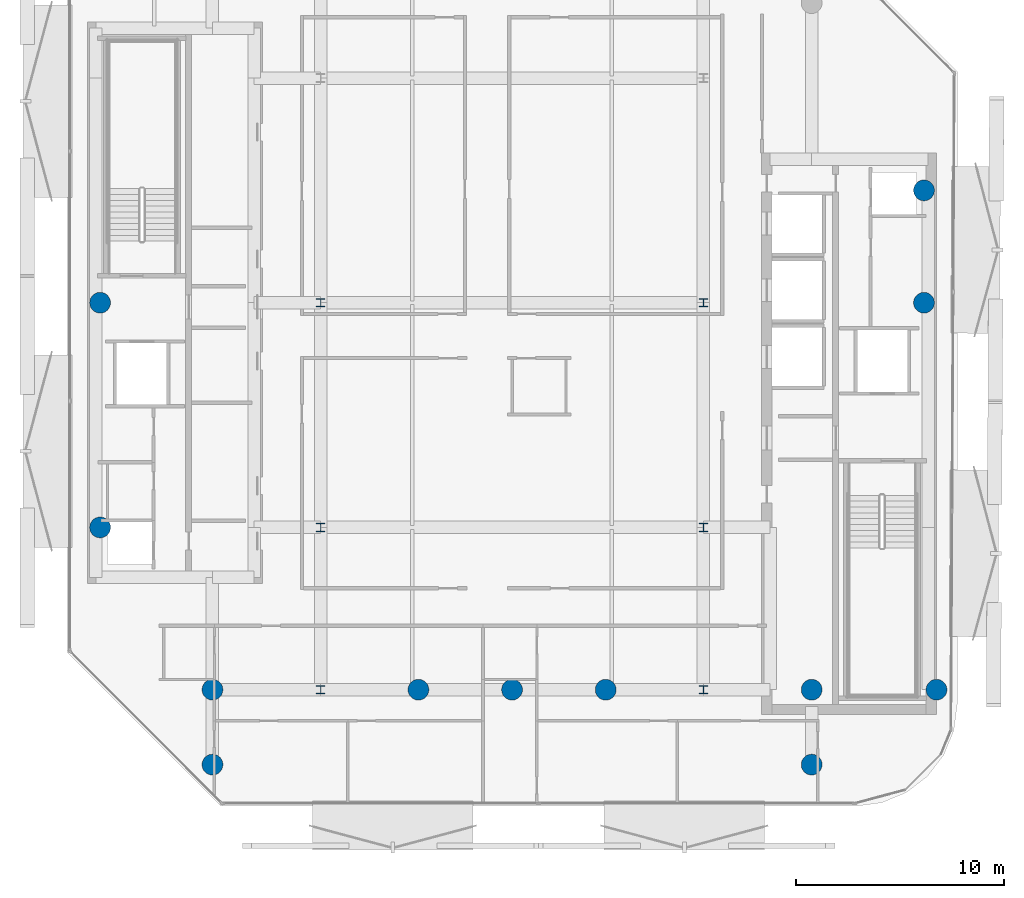
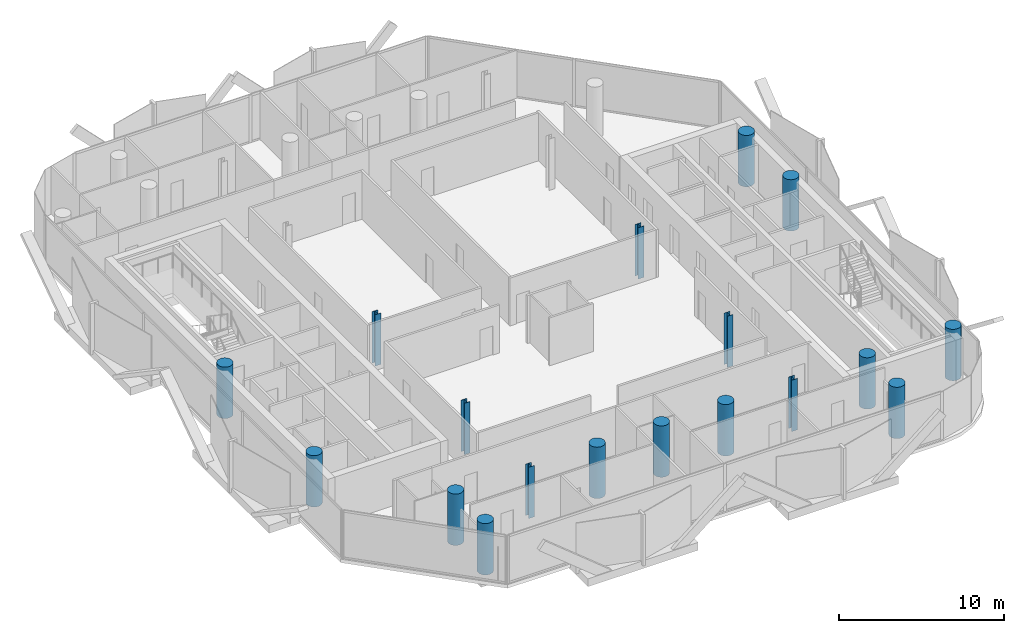
# One storey, part 1 of 16: 18 columns.
"""IFC4 building model written with IfcOpenShell, lengths in metres."""

import ifcopenshell
import ifcopenshell.guid

model = None  # the IFC model being written
_history = None  # IfcOwnerHistory: only IFC2X3 demands one
_inside = {}  # id of a spatial element -> (the spatial element, [elements in it])
_under = {}  # id of a project, library or spatial element -> (it, [spatial elements below it])
_declared = {}  # id of a project -> (the project, [libraries it declares])
_typed = {}  # id of a type object -> (the type object, [elements of that type])
_made_of = {}  # id of a material, layer set ... -> (it, [elements and type objects made of it])


def new_model(schema):
    """Start an empty IFC model of exactly this schema.

    Asked for "IFC4X3", IfcOpenShell would pick the latest addendum, in which some entities
    have other attributes; the version numbers below select the first issue.
    IFC2X3 requires an IfcOwnerHistory on every rooted entity: one is made here for all.
    """
    global model, _history
    if schema == "IFC4X3":
        model = ifcopenshell.file(schema_version=(4, 3, 0, 0))
    else:
        model = ifcopenshell.file(schema=schema)
    _inside.clear()
    _under.clear()
    _declared.clear()
    _typed.clear()
    _made_of.clear()
    _history = None
    if model.schema == "IFC2X3":
        org = make("IfcOrganization", Name="unknown")
        user = make(
            "IfcPersonAndOrganization",
            ThePerson=make("IfcPerson", FamilyName="unknown"),
            TheOrganization=org,
        )
        app = make(
            "IfcApplication",
            ApplicationDeveloper=org,
            Version="unknown",
            ApplicationFullName="unknown",
            ApplicationIdentifier="unknown",
        )
        _history = make(
            "IfcOwnerHistory",
            OwningUser=user,
            OwningApplication=app,
            ChangeAction="ADDED",
            CreationDate=0,
        )
    return model


def make(cls, **values):
    """One entity of the class cls with the attributes given. An attribute that is None is left unset."""
    return model.create_entity(
        cls, **{name: value for name, value in values.items() if value is not None}
    )


def rooted(cls, **values):
    """An entity with a GlobalId (a new one), such as an element, a storey or a relation."""
    return make(cls, GlobalId=ifcopenshell.guid.new(), OwnerHistory=_history, **values)


def si_unit(unit_type, name, prefix=None):
    """IfcSIUnit, for example si_unit("LENGTHUNIT", "METRE", prefix="MILLI")."""
    return make("IfcSIUnit", UnitType=unit_type, Prefix=prefix, Name=name)


def assignment(units):
    """IfcUnitAssignment: the units of a project."""
    return None if units is None else make("IfcUnitAssignment", Units=units)


def point(xyz):
    """IfcCartesianPoint."""
    return None if xyz is None else make("IfcCartesianPoint", Coordinates=xyz)


def direction(xyz):
    """IfcDirection."""
    return None if xyz is None else make("IfcDirection", DirectionRatios=xyz)


def frame(location, z_axis=None, x_axis=None):
    """IfcAxis2Placement3D, a coordinate frame: its origin and axes. An axis left out is left unset."""
    return make(
        "IfcAxis2Placement3D",
        Location=point(location),
        Axis=direction(z_axis),
        RefDirection=direction(x_axis),
    )


def frame_2d(location, x_axis=None):
    """IfcAxis2Placement2D, a coordinate frame in the plane: its origin and x axis."""
    return make(
        "IfcAxis2Placement2D", Location=point(location), RefDirection=direction(x_axis)
    )


def origin():
    """The frame at (0, 0, 0) with its axes left unset."""
    return frame((0.0, 0.0, 0.0))


def origin_2d():
    """The frame at (0, 0) in the plane with its x axis left unset."""
    return frame_2d((0.0, 0.0))


def place(relative_to, where):
    """IfcLocalPlacement: puts the frame where relative to a parent placement (None: the world)."""
    return make(
        "IfcLocalPlacement", PlacementRelTo=relative_to, RelativePlacement=where
    )


def context(
    kind, dimensions, precision=None, world=None, true_north=None, identifier=None
):
    """IfcGeometricRepresentationContext, for example the 3D "Model" context."""
    return make(
        "IfcGeometricRepresentationContext",
        ContextIdentifier=identifier,
        ContextType=kind,
        CoordinateSpaceDimension=dimensions,
        Precision=precision,
        WorldCoordinateSystem=world,
        TrueNorth=true_north,
    )


def subcontext(parent, identifier, kind, view, scale=None):
    """IfcGeometricRepresentationSubContext, for example "Body" below "Model"."""
    return make(
        "IfcGeometricRepresentationSubContext",
        ContextIdentifier=identifier,
        ContextType=kind,
        ParentContext=parent,
        TargetScale=scale,
        TargetView=view,
    )


def project(units=None, contexts=None):
    """IfcProject with its units and contexts."""
    return rooted(
        "IfcProject",
        Name="project",
        RepresentationContexts=contexts,
        UnitsInContext=assignment(units),
    )


def spatial(cls, under=None, at=None, **own):
    """A site, building, storey or space (cls), placed at a placement, below another one or the project."""
    s = rooted(cls, ObjectPlacement=at, **own)
    if under is not None:
        _under.setdefault(under.id(), (under, []))[1].append(s)
    return s


def profile(cls, at=None, kind="AREA", **sizes):
    """A parametric profile (cls). Its sizes go by their IFC names, for example OverallWidth=200.0."""
    return make(cls, ProfileType=kind, Position=at, **sizes)


def circle(**sizes):
    """IfcCircleProfileDef."""
    return profile("IfcCircleProfileDef", **sizes)


def i_section(**sizes):
    """IfcIShapeProfileDef."""
    return profile("IfcIShapeProfileDef", **sizes)


def extrude(swept, where, along, depth):
    """IfcExtrudedAreaSolid: the profile swept, set in the frame where, extruded along a direction by depth."""
    return make(
        "IfcExtrudedAreaSolid",
        SweptArea=swept,
        Position=where,
        ExtrudedDirection=direction(along),
        Depth=depth,
    )


def shape(context_of_items, identifier, shape_type, items):
    """IfcShapeRepresentation: the items that make up one representation, for example the "Body"."""
    return make(
        "IfcShapeRepresentation",
        ContextOfItems=context_of_items,
        RepresentationIdentifier=identifier,
        RepresentationType=shape_type,
        Items=items,
    )


def material(Name=None, Category=None):
    """IfcMaterial."""
    return make("IfcMaterial", Name=Name, Category=Category)


def material_profile(
    of_material, cross_section, Name=None, Category=None, Priority=None
):
    """IfcMaterialProfile: a cross section and its material."""
    return make(
        "IfcMaterialProfile",
        Name=Name,
        Material=of_material,
        Profile=cross_section,
        Priority=Priority,
        Category=Category,
    )


def profile_set(profiles, Name=None, composite=None):
    """IfcMaterialProfileSet."""
    return make(
        "IfcMaterialProfileSet",
        Name=Name,
        MaterialProfiles=profiles,
        CompositeProfile=composite,
    )


def made_of(thing, what):
    """Note that an element or type object is made of a material, layer set ...; save() writes the relation."""
    if what is not None:
        _made_of.setdefault(what.id(), (what, []))[1].append(thing)
    return thing


def type_object(cls, material=None, **own):
    """A type object (cls), such as IfcWallType, which elements share."""
    return made_of(rooted(cls, **own), material)


def element(
    cls,
    number,
    at=None,
    inside=None,
    cuts=None,
    type_object=None,
    material=None,
    context=None,
    identifier="Body",
    shape_type=None,
    held_by="IfcProductDefinitionShape",
    body=None,
    shapes=None,
    **own,
):
    """One element of the class cls, such as IfcWall. Its Tag is "e" and its number.

    at: its placement. inside: the storey or other place that contains it. cuts: it is an
    opening in that element (IfcRelVoidsElement). A single representation is given by context,
    identifier, shape_type and body (its items); several are given by shapes. held_by: the class
    of the entity that holds the representations. save() writes the other relations.
    """
    e = rooted(cls, Tag="e%d" % number, ObjectPlacement=at, **own)
    if body is not None:
        shapes = [shape(context, identifier, shape_type, body)]
    if shapes is not None:
        e.Representation = make(held_by, Representations=shapes)
    if inside is not None:
        _inside.setdefault(inside.id(), (inside, []))[1].append(e)
    if cuts is not None:
        rooted(
            "IfcRelVoidsElement", RelatingBuildingElement=cuts, RelatedOpeningElement=e
        )
    if type_object is not None:
        _typed.setdefault(type_object.id(), (type_object, []))[1].append(e)
    return made_of(e, material)


def aggregate(whole, parts):
    """IfcRelAggregates: a whole, such as a stair, and the parts it consists of."""
    return rooted("IfcRelAggregates", RelatingObject=whole, RelatedObjects=parts)


def save(model, path):
    """Write the relations noted so far, then the file.

    IfcRelAggregates (storeys below a building ...), IfcRelContainedInSpatialStructure (elements
    in a storey), IfcRelDefinesByType, IfcRelAssociatesMaterial and IfcRelDeclares: one each for
    every whole, place, type object, material and project.
    """
    for whole, parts in _under.values():
        aggregate(whole, parts)
    for where, things in _inside.values():
        rooted(
            "IfcRelContainedInSpatialStructure",
            RelatedElements=things,
            RelatingStructure=where,
        )
    for kind, things in _typed.values():
        rooted("IfcRelDefinesByType", RelatedObjects=things, RelatingType=kind)
    for what, things in _made_of.values():
        rooted("IfcRelAssociatesMaterial", RelatedObjects=things, RelatingMaterial=what)
    for by, libraries in _declared.values():
        rooted("IfcRelDeclares", RelatingContext=by, RelatedDefinitions=libraries)
    model.write(path)


model = new_model("IFC4")

# Units and contexts
model_context = context("Model", 3, precision=1e-05, world=origin(), true_north=direction((0.0, 1.0)))
body_context = subcontext(model_context, "Body", "Model", "MODEL_VIEW")
ifc_project = project(units=[si_unit("LENGTHUNIT", "METRE"), si_unit("AREAUNIT", "SQUARE_METRE"), si_unit("VOLUMEUNIT", "CUBIC_METRE"), si_unit("PLANEANGLEUNIT", "RADIAN"), si_unit("MASSUNIT", "GRAM", prefix="KILO")], contexts=[model_context])

# Site, building, storey
site_placement = place(None, origin())
site = spatial("IfcSite", under=ifc_project, at=site_placement, CompositionType="ELEMENT")
building_placement = place(site_placement, origin())
building = spatial("IfcBuilding", under=site, at=building_placement, Name="Khairoan Windgate Tower", CompositionType="ELEMENT")
storey_placement = place(building_placement, frame((0.0, 0.0, 296.60009765625)))
storey = spatial("IfcBuildingStorey", under=building, at=storey_placement, Name="L71", CompositionType="ELEMENT", Elevation=296.60009765625)

# Columns
ifc_material_1 = material(Name="Concrete C60/75", Category="concrete")
ifc_material_profile_1 = material_profile(ifc_material_1, circle(Radius=0.5, at=origin_2d()))
ifc_profile_set_1 = profile_set([ifc_material_profile_1], Name="Concrete C60/75")
column_type_1 = type_object("IfcColumnType", Name="Column C-P1 RC-D1000", PredefinedType="COLUMN", material=ifc_profile_set_1)
for number, where, z_axis, x_axis, name in (
    (1, (20.39990234375, -18.60009765625, 0.0), (0.0, 0.0, 1.0), (1.0, 0.0, 0.0), "Column L71-12"),
    (2, (-14.39990234375, -18.60009765625, 0.0), (0.0, 0.0, 1.0), (1.0, 0.0, 0.0), "Column L71-13"),
    (3, (14.39990234375, -18.60009765625, 0.0), (0.0, 0.0, 1.0), (1.0, 0.0, 0.0), "Column L71-15"),
    (4, (-4.5, -18.60009765625, 0.0), (0.0, 0.0, 1.0), (1.0, 0.0, 0.0), "Column L71-17"),
    (5, (0.0, -18.60009765625, 0.0), (0.0, 0.0, 1.0), (1.0, 0.0, 0.0), "Column L71-18"),
    (6, (4.5, -18.60009765625, 0.0), (0.0, 0.0, 1.0), (1.0, 0.0, 0.0), "Column L71-19"),
    (7, (-19.800048828125, -10.800048828125, 0.0), (0.0, 0.0, 1.0), (1.0, 0.0, 0.0), "Column L71-23"),
    (8, (-19.800048828125, 0.0, 0.0), (0.0, 0.0, 1.0), (1.0, 0.0, 0.0), "Column L71-24"),
    (9, (19.800048828125, 0.0, 0.0), (0.0, 0.0, 1.0), (1.0, 0.0, 0.0), "Column L71-25"),
    (10, (19.800048828125, 5.39990234375, 0.0), (0.0, 0.0, 1.0), (1.0, 0.0, 0.0), "Column L71-26"),
    (11, (-14.39990234375, -22.199951171875, 0.0), (0.0, 0.0, 1.0), (1.0, 0.0, 0.0), "Column L71-27"),
    (12, (14.39990234375, -22.199951171875, 0.0), (0.0, 0.0, 1.0), (1.0, 0.0, 0.0), "Column L71-29"),
):
    element("IfcColumn", number, at=place(storey_placement, frame(where, z_axis=z_axis, x_axis=x_axis)), inside=storey, type_object=column_type_1, Name=name, PredefinedType="COLUMN", context=body_context, shape_type="SweptSolid", body=[
        extrude(circle(Radius=0.5, at=origin_2d()), origin(), (0.0, 0.0, 1.0), 3.7998046875),
    ])
ifc_material_2 = material(Name="Steel S355", Category="steel")
ifc_material_profile_2 = material_profile(ifc_material_2, i_section(OverallWidth=0.39990234375, OverallDepth=0.39990234375, WebThickness=0.012939453125, FlangeThickness=0.02099609375, FilletRadius=0.02197265625, at=origin_2d()))
ifc_profile_set_2 = profile_set([ifc_material_profile_2], Name="Steel S355")
column_type_2 = type_object("IfcColumnType", Name="Steel Column SC4 H400x400x13x21", PredefinedType="COLUMN", material=ifc_profile_set_2)
for number, where, z_axis, x_axis, name in (
    (13, (-9.199951171875, -18.60009765625, 0.0), (0.0, 0.0, 1.0), (1.0, 0.0, 0.0), "Column L71-01"),
    (14, (-9.199951171875, -10.800048828125, 0.0), (0.0, 0.0, 1.0), (1.0, 0.0, 0.0), "Column L71-02"),
    (15, (-9.199951171875, 0.0, 0.0), (0.0, 0.0, 1.0), (1.0, 0.0, 0.0), "Column L71-03"),
    (16, (9.199951171875, -18.60009765625, 0.0), (0.0, 0.0, 1.0), (1.0, 0.0, 0.0), "Column L71-06"),
    (17, (9.199951171875, -10.800048828125, 0.0), (0.0, 0.0, 1.0), (1.0, 0.0, 0.0), "Column L71-07"),
    (18, (9.199951171875, 0.0, 0.0), (0.0, 0.0, 1.0), (1.0, 0.0, 0.0), "Column L71-08"),
):
    element("IfcColumn", number, at=place(storey_placement, frame(where, z_axis=z_axis, x_axis=x_axis)), inside=storey, type_object=column_type_2, Name=name, PredefinedType="COLUMN", context=body_context, shape_type="SweptSolid", body=[
        extrude(i_section(OverallWidth=0.39990234375, OverallDepth=0.39990234375, WebThickness=0.012939453125, FlangeThickness=0.02099609375, FilletRadius=0.02197265625, at=origin_2d()), origin(), (0.0, 0.0, 1.0), 3.7998046875),
    ])

save(model, "model.ifc")
